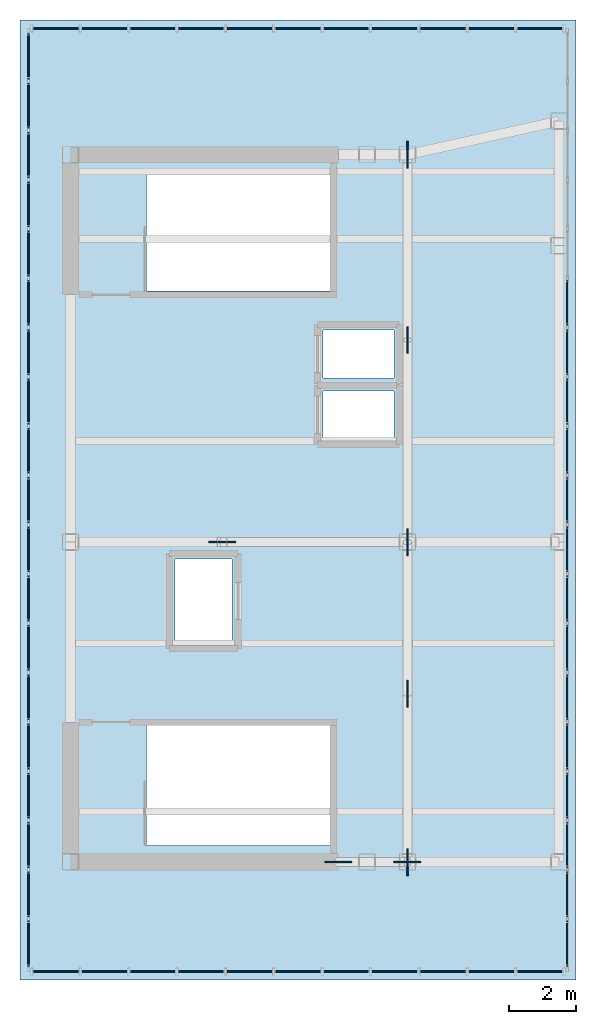
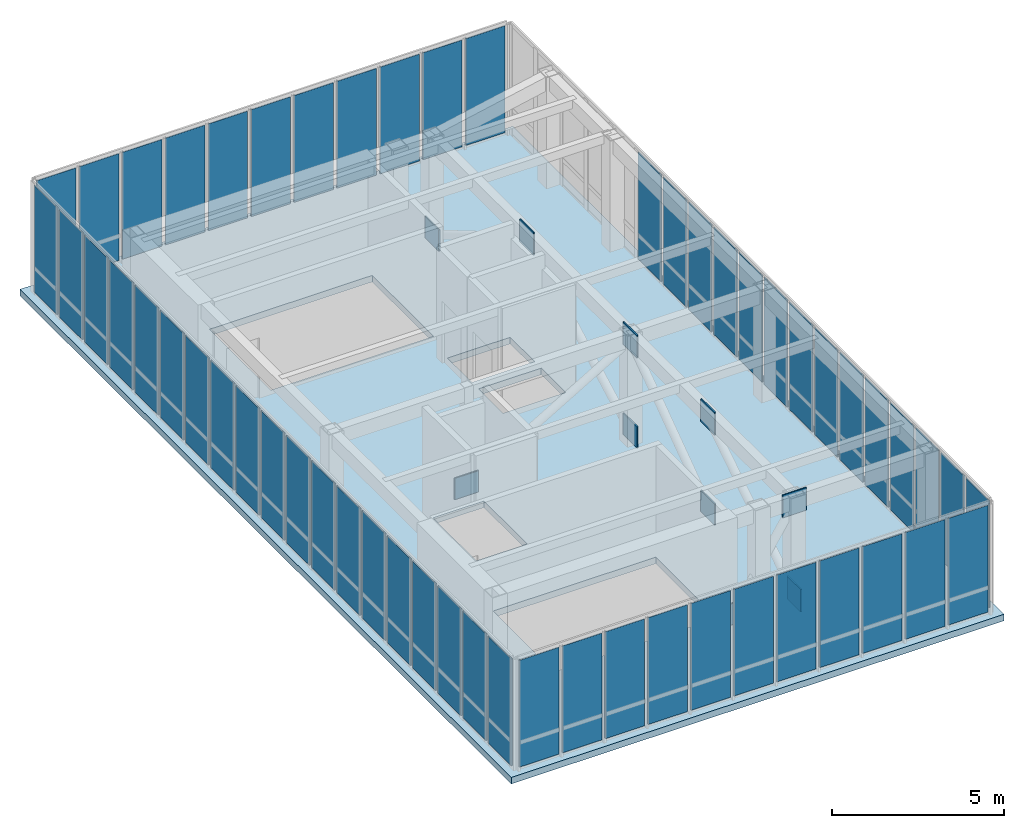
# One storey, part 11 of 13: 65 plates, 1 slab, 4 elements without a shape of their own.
"""IFC4 building model written with IfcOpenShell, lengths in metres."""

from ifc_helpers import new_model, si_unit, direction, frame, origin, origin_2d, place, context, subcontext, project, spatial, polyline, rectangle, outline, extrude, source, transform, mapped, material, layer, layer_set, type_object, element, aggregate, save


model = new_model("IFC4")

# Units and contexts
model_context = context("Model", 3, precision=1e-05, world=origin(), true_north=direction((0.0, 1.0)))
body_context = subcontext(model_context, "Body", "Model", "MODEL_VIEW")
ifc_project = project(units=[si_unit("LENGTHUNIT", "METRE"), si_unit("AREAUNIT", "SQUARE_METRE"), si_unit("VOLUMEUNIT", "CUBIC_METRE"), si_unit("PLANEANGLEUNIT", "RADIAN"), si_unit("MASSUNIT", "GRAM", prefix="KILO")], contexts=[model_context])

# Site, building, storey
site_placement = place(None, origin())
site = spatial("IfcSite", under=ifc_project, at=site_placement, CompositionType="ELEMENT")
building_placement = place(site_placement, origin())
building = spatial("IfcBuilding", under=site, at=building_placement, Name="Kharzan Plaza Tower", CompositionType="ELEMENT")
storey_placement = place(building_placement, frame((0.0, 0.0, 298.199951171875)))
storey = spatial("IfcBuildingStorey", under=building, at=storey_placement, Name="L80-CROWN", CompositionType="ELEMENT", Elevation=298.199951171875)

# Slab
ifc_material_1 = material(Name="Concrete C40/50", Category="concrete")
ifc_layer_1 = layer(ifc_material_1, 0.22998046875)
ifc_layer_set_1 = layer_set([ifc_layer_1], Name="Concrete C40/50")
slab_type = type_object("IfcSlabType", Name="SL-FLOOR-230", PredefinedType="FLOOR", material=ifc_layer_set_1)
slab_placement = place(storey_placement, frame((0.0, 0.0, -0.22998046875)))
element("IfcSlab", 1, at=slab_placement, inside=storey, type_object=slab_type, Name="L80-CROWN Composite Structural Floor Slab 230 mm", PredefinedType="FLOOR", context=body_context, shape_type="SweptSolid", body=[
    extrude(outline(polyline([(3.0, 5.0), (19.5, 5.0), (19.5, 33.5), (3.0, 33.5), (3.0, 5.0)]), holes=[polyline([(6.75, 12.550048828125), (6.75, 9.0), (12.199951171875, 9.0), (12.199951171875, 12.550048828125), (6.75, 12.550048828125)]), polyline([(7.60009765625, 17.5), (7.60009765625, 15.0), (9.300048828125, 15.0), (9.300048828125, 17.5), (7.60009765625, 17.5)]), polyline([(12.0, 22.489990234375), (12.0, 21.070068359375), (14.10009765625, 21.070068359375), (14.10009765625, 22.489990234375), (12.0, 22.489990234375)]), polyline([(14.10009765625, 24.2900390625), (12.0, 24.2900390625), (12.0, 22.8701171875), (14.10009765625, 22.8701171875), (14.10009765625, 24.2900390625)]), polyline([(12.199951171875, 29.0), (6.75, 29.0), (6.75, 25.449951171875), (12.199951171875, 25.449951171875), (12.199951171875, 29.0)])]), origin(), (0.0, 0.0, 1.0), 0.22998046875),
])

# Plates
ifc_material_2 = material(Name="Steel S460", Category="steel")
ifc_layer_2 = layer(ifc_material_2, 0.044921875)
ifc_layer_set_2 = layer_set([ifc_layer_2], Name="Steel S460")
plate_type_1 = type_object("IfcPlateType", Name="PLT-OTN1", PredefinedType="USERDEFINED", material=ifc_layer_set_2)
shared_shape_1 = source(origin(), body_context, "Body", "SweptSolid", [
    extrude(rectangle(XDim=0.800048828125, YDim=0.0400390625, at=origin_2d()), origin(), (0.0, 0.0, 1.0), 0.800048828125),
])
for number, where, z_axis, x_axis, name in (
    (2, (14.5, 18.0, -0.0498046875), (0.0, 0.0, 1.0), (0.0, 1.0, 0.0), "L80-CROWN CROWN FRAME Brace End Gusset Plate OTN1-CRD-E1-A"),
    (3, (14.5, 29.5, -0.0498046875), (0.0, 0.0, 1.0), (0.0, -1.0, 0.0), "L80-CROWN CROWN FRAME Brace End Gusset Plate OTN1-CRD-N1-A"),
    (4, (14.5, 24.0, 3.18994140625), (0.0, 0.0, 1.0), (0.0, -1.0, 0.0), "L80-CROWN CROWN FRAME Brace End Gusset Plate OTN1-CRD-N1-B"),
    (5, (12.449951171875, 8.5, -0.0498046875), (0.0, 0.0, 1.0), (1.0, 0.0, 0.0), "L80-CROWN CROWN FRAME Brace End Gusset Plate OTN1-CRD-N2-A"),
    (6, (14.5, 8.5, 3.18994140625), (0.0, 0.0, 1.0), (1.0, 0.0, 0.0), "L80-CROWN CROWN FRAME Brace End Gusset Plate OTN1-CRD-N2-B"),
    (7, (14.5, 8.5, -0.0498046875), (0.0, 0.0, 1.0), (0.0, 1.0, 0.0), "L80-CROWN CROWN FRAME Brace End Gusset Plate OTN1-CRD-S1-A"),
    (8, (14.5, 13.5, 3.18994140625), (0.0, 0.0, 1.0), (0.0, 1.0, 0.0), "L80-CROWN CROWN FRAME Brace End Gusset Plate OTN1-CRD-S1-B"),
    (9, (14.5, 13.5, -0.0498046875), (0.0, 0.0, 1.0), (0.0, 1.0, 0.0), "L80-CROWN CROWN FRAME Brace End Gusset Plate OTN1-CRD-S2-A"),
    (10, (14.5, 18.0, 3.18994140625), (0.0, 0.0, 1.0), (0.0, 1.0, 0.0), "L80-CROWN CROWN FRAME Brace End Gusset Plate OTN1-CRD-S2-B"),
    (11, (9.0, 18.0, -0.0498046875), (0.0, 0.0, 1.0), (1.0, 0.0, 0.0), "L80-CROWN CROWN FRAME Brace End Gusset Plate OTN1-CRD-W1-A"),
):
    element("IfcPlate", number, at=place(storey_placement, frame(where, z_axis=z_axis, x_axis=x_axis)), inside=storey, type_object=plate_type_1, Name=name, ObjectType="GUSSET_PLATE", PredefinedType="USERDEFINED", context=body_context, shape_type="MappedRepresentation", body=[
        mapped(shared_shape_1, transform((0.0, 0.0, 0.0), x_axis=(1.0, 0.0, 0.0), y_axis=(0.0, 1.0, 0.0), z_axis=(0.0, 0.0, 1.0))),
    ])

# Curtain wall, plates
ifc_material_3 = material(Name="Unitised Bronze-Anodized Aluminium and Low-E Glass", Category="aluminium")
ifc_layer_3 = layer(ifc_material_3, 0.199951171875)
ifc_layer_set_3 = layer_set([ifc_layer_3], Name="Unitised Bronze-Anodized Aluminium and Low-E Glass")
curtain_wall_type = type_object("IfcCurtainWallType", Name="CW-LANTERN-6", PredefinedType="NOTDEFINED", material=ifc_layer_set_3)
curtain_wall_1_placement = place(storey_placement, origin())
curtain_wall_1 = element("IfcCurtainWall", 12, at=curtain_wall_1_placement, inside=storey, type_object=curtain_wall_type, Name="L80-CROWN Lantern Crown Illuminated Curtain Wall 1", PredefinedType="NOTDEFINED")
ifc_material_4 = material(Name="Low-Iron Fritted Lantern Crown Glazing", Category="glass")
ifc_layer_4 = layer(ifc_material_4, 0.035888671875)
ifc_layer_set_4 = layer_set([ifc_layer_4], Name="Low-Iron Fritted Lantern Crown Glazing")
plate_type_2 = type_object("IfcPlateType", Name="PLT-CW-LANTERN", PredefinedType="CURTAIN_PANEL", material=ifc_layer_set_4)
shared_shape_2 = source(origin(), body_context, "Body", "SweptSolid", [
    extrude(rectangle(XDim=1.31640625, YDim=0.035888671875, at=origin_2d()), origin(), (0.0, 0.0, 1.0), 3.780029296875),
])
plate_1_placement = place(storey_placement, frame((4.068115234375, 5.25, 0.080078125), z_axis=(0.0, 0.0, 1.0), x_axis=(1.0, 0.0, 0.0)))
plate_1 = element("IfcPlate", 13, at=plate_1_placement, type_object=plate_type_2, Name="L80-CROWN Curtain-Wall Glazed Panel 00", PredefinedType="CURTAIN_PANEL", context=body_context, shape_type="MappedRepresentation", body=[
    mapped(shared_shape_2, transform((0.0, 0.0, 0.0), x_axis=(1.0, 0.0, 0.0), y_axis=(0.0, 1.0, 0.0), z_axis=(0.0, 0.0, 1.0))),
])
plate_2_placement = place(storey_placement, frame((5.50439453125, 5.25, 0.080078125), z_axis=(0.0, 0.0, 1.0), x_axis=(1.0, 0.0, 0.0)))
plate_2 = element("IfcPlate", 14, at=plate_2_placement, type_object=plate_type_2, Name="L80-CROWN Curtain-Wall Glazed Panel 01", PredefinedType="CURTAIN_PANEL", context=body_context, shape_type="MappedRepresentation", body=[
    mapped(shared_shape_2, transform((0.0, 0.0, 0.0), x_axis=(1.0, 0.0, 0.0), y_axis=(0.0, 1.0, 0.0), z_axis=(0.0, 0.0, 1.0))),
])
plate_3_placement = place(storey_placement, frame((6.94091796875, 5.25, 0.080078125), z_axis=(0.0, 0.0, 1.0), x_axis=(1.0, 0.0, 0.0)))
plate_3 = element("IfcPlate", 15, at=plate_3_placement, type_object=plate_type_2, Name="L80-CROWN Curtain-Wall Glazed Panel 02", PredefinedType="CURTAIN_PANEL", context=body_context, shape_type="MappedRepresentation", body=[
    mapped(shared_shape_2, transform((0.0, 0.0, 0.0), x_axis=(1.0, 0.0, 0.0), y_axis=(0.0, 1.0, 0.0), z_axis=(0.0, 0.0, 1.0))),
])
plate_4_placement = place(storey_placement, frame((8.377197265625, 5.25, 0.080078125), z_axis=(0.0, 0.0, 1.0), x_axis=(1.0, 0.0, 0.0)))
plate_4 = element("IfcPlate", 16, at=plate_4_placement, type_object=plate_type_2, Name="L80-CROWN Curtain-Wall Glazed Panel 03", PredefinedType="CURTAIN_PANEL", context=body_context, shape_type="MappedRepresentation", body=[
    mapped(shared_shape_2, transform((0.0, 0.0, 0.0), x_axis=(1.0, 0.0, 0.0), y_axis=(0.0, 1.0, 0.0), z_axis=(0.0, 0.0, 1.0))),
])
plate_5_placement = place(storey_placement, frame((9.813720703125, 5.25, 0.080078125), z_axis=(0.0, 0.0, 1.0), x_axis=(1.0, 0.0, 0.0)))
plate_5 = element("IfcPlate", 17, at=plate_5_placement, type_object=plate_type_2, Name="L80-CROWN Curtain-Wall Glazed Panel 04", PredefinedType="CURTAIN_PANEL", context=body_context, shape_type="MappedRepresentation", body=[
    mapped(shared_shape_2, transform((0.0, 0.0, 0.0), x_axis=(1.0, 0.0, 0.0), y_axis=(0.0, 1.0, 0.0), z_axis=(0.0, 0.0, 1.0))),
])
plate_6_placement = place(storey_placement, frame((11.25, 5.25, 0.080078125), z_axis=(0.0, 0.0, 1.0), x_axis=(1.0, 0.0, 0.0)))
plate_6 = element("IfcPlate", 18, at=plate_6_placement, type_object=plate_type_2, Name="L80-CROWN Curtain-Wall Glazed Panel 05", PredefinedType="CURTAIN_PANEL", context=body_context, shape_type="MappedRepresentation", body=[
    mapped(shared_shape_2, transform((0.0, 0.0, 0.0), x_axis=(1.0, 0.0, 0.0), y_axis=(0.0, 1.0, 0.0), z_axis=(0.0, 0.0, 1.0))),
])
plate_7_placement = place(storey_placement, frame((12.686279296875, 5.25, 0.080078125), z_axis=(0.0, 0.0, 1.0), x_axis=(1.0, 0.0, 0.0)))
plate_7 = element("IfcPlate", 19, at=plate_7_placement, type_object=plate_type_2, Name="L80-CROWN Curtain-Wall Glazed Panel 06", PredefinedType="CURTAIN_PANEL", context=body_context, shape_type="MappedRepresentation", body=[
    mapped(shared_shape_2, transform((0.0, 0.0, 0.0), x_axis=(1.0, 0.0, 0.0), y_axis=(0.0, 1.0, 0.0), z_axis=(0.0, 0.0, 1.0))),
])
plate_8_placement = place(storey_placement, frame((14.122802734375, 5.25, 0.080078125), z_axis=(0.0, 0.0, 1.0), x_axis=(1.0, 0.0, 0.0)))
plate_8 = element("IfcPlate", 20, at=plate_8_placement, type_object=plate_type_2, Name="L80-CROWN Curtain-Wall Glazed Panel 07", PredefinedType="CURTAIN_PANEL", context=body_context, shape_type="MappedRepresentation", body=[
    mapped(shared_shape_2, transform((0.0, 0.0, 0.0), x_axis=(1.0, 0.0, 0.0), y_axis=(0.0, 1.0, 0.0), z_axis=(0.0, 0.0, 1.0))),
])
plate_9_placement = place(storey_placement, frame((15.55908203125, 5.25, 0.080078125), z_axis=(0.0, 0.0, 1.0), x_axis=(1.0, 0.0, 0.0)))
plate_9 = element("IfcPlate", 21, at=plate_9_placement, type_object=plate_type_2, Name="L80-CROWN Curtain-Wall Glazed Panel 08", PredefinedType="CURTAIN_PANEL", context=body_context, shape_type="MappedRepresentation", body=[
    mapped(shared_shape_2, transform((0.0, 0.0, 0.0), x_axis=(1.0, 0.0, 0.0), y_axis=(0.0, 1.0, 0.0), z_axis=(0.0, 0.0, 1.0))),
])
plate_10_placement = place(storey_placement, frame((16.99560546875, 5.25, 0.080078125), z_axis=(0.0, 0.0, 1.0), x_axis=(1.0, 0.0, 0.0)))
plate_10 = element("IfcPlate", 22, at=plate_10_placement, type_object=plate_type_2, Name="L80-CROWN Curtain-Wall Glazed Panel 09", PredefinedType="CURTAIN_PANEL", context=body_context, shape_type="MappedRepresentation", body=[
    mapped(shared_shape_2, transform((0.0, 0.0, 0.0), x_axis=(1.0, 0.0, 0.0), y_axis=(0.0, 1.0, 0.0), z_axis=(0.0, 0.0, 1.0))),
])
plate_11_placement = place(storey_placement, frame((18.431884765625, 5.25, 0.080078125), z_axis=(0.0, 0.0, 1.0), x_axis=(1.0, 0.0, 0.0)))
plate_11 = element("IfcPlate", 23, at=plate_11_placement, type_object=plate_type_2, Name="L80-CROWN Curtain-Wall Glazed Panel 10", PredefinedType="CURTAIN_PANEL", context=body_context, shape_type="MappedRepresentation", body=[
    mapped(shared_shape_2, transform((0.0, 0.0, 0.0), x_axis=(1.0, 0.0, 0.0), y_axis=(0.0, 1.0, 0.0), z_axis=(0.0, 0.0, 1.0))),
])
aggregate(curtain_wall_1, [plate_1, plate_2, plate_3, plate_4, plate_5, plate_6, plate_7, plate_8, plate_9, plate_10, plate_11])

curtain_wall_2_placement = place(storey_placement, origin())
curtain_wall_2 = element("IfcCurtainWall", 24, at=curtain_wall_2_placement, inside=storey, type_object=curtain_wall_type, Name="L80-CROWN Lantern Crown Illuminated Curtain Wall 3", PredefinedType="NOTDEFINED")
plate_12_placement = place(storey_placement, frame((18.431884765625, 33.25, 0.080078125), z_axis=(0.0, 0.0, 1.0), x_axis=(-1.0, 0.0, 0.0)))
plate_12 = element("IfcPlate", 25, at=plate_12_placement, type_object=plate_type_2, Name="L80-CROWN Curtain-Wall Glazed Panel 00", PredefinedType="CURTAIN_PANEL", context=body_context, shape_type="MappedRepresentation", body=[
    mapped(shared_shape_2, transform((0.0, 0.0, 0.0), x_axis=(1.0, 0.0, 0.0), y_axis=(0.0, 1.0, 0.0), z_axis=(0.0, 0.0, 1.0))),
])
plate_13_placement = place(storey_placement, frame((16.99560546875, 33.25, 0.080078125), z_axis=(0.0, 0.0, 1.0), x_axis=(-1.0, 0.0, 0.0)))
plate_13 = element("IfcPlate", 26, at=plate_13_placement, type_object=plate_type_2, Name="L80-CROWN Curtain-Wall Glazed Panel 01", PredefinedType="CURTAIN_PANEL", context=body_context, shape_type="MappedRepresentation", body=[
    mapped(shared_shape_2, transform((0.0, 0.0, 0.0), x_axis=(1.0, 0.0, 0.0), y_axis=(0.0, 1.0, 0.0), z_axis=(0.0, 0.0, 1.0))),
])
plate_14_placement = place(storey_placement, frame((15.55908203125, 33.25, 0.080078125), z_axis=(0.0, 0.0, 1.0), x_axis=(-1.0, 0.0, 0.0)))
plate_14 = element("IfcPlate", 27, at=plate_14_placement, type_object=plate_type_2, Name="L80-CROWN Curtain-Wall Glazed Panel 02", PredefinedType="CURTAIN_PANEL", context=body_context, shape_type="MappedRepresentation", body=[
    mapped(shared_shape_2, transform((0.0, 0.0, 0.0), x_axis=(1.0, 0.0, 0.0), y_axis=(0.0, 1.0, 0.0), z_axis=(0.0, 0.0, 1.0))),
])
plate_15_placement = place(storey_placement, frame((14.122802734375, 33.25, 0.080078125), z_axis=(0.0, 0.0, 1.0), x_axis=(-1.0, 0.0, 0.0)))
plate_15 = element("IfcPlate", 28, at=plate_15_placement, type_object=plate_type_2, Name="L80-CROWN Curtain-Wall Glazed Panel 03", PredefinedType="CURTAIN_PANEL", context=body_context, shape_type="MappedRepresentation", body=[
    mapped(shared_shape_2, transform((0.0, 0.0, 0.0), x_axis=(1.0, 0.0, 0.0), y_axis=(0.0, 1.0, 0.0), z_axis=(0.0, 0.0, 1.0))),
])
plate_16_placement = place(storey_placement, frame((12.686279296875, 33.25, 0.080078125), z_axis=(0.0, 0.0, 1.0), x_axis=(-1.0, 0.0, 0.0)))
plate_16 = element("IfcPlate", 29, at=plate_16_placement, type_object=plate_type_2, Name="L80-CROWN Curtain-Wall Glazed Panel 04", PredefinedType="CURTAIN_PANEL", context=body_context, shape_type="MappedRepresentation", body=[
    mapped(shared_shape_2, transform((0.0, 0.0, 0.0), x_axis=(1.0, 0.0, 0.0), y_axis=(0.0, 1.0, 0.0), z_axis=(0.0, 0.0, 1.0))),
])
plate_17_placement = place(storey_placement, frame((11.25, 33.25, 0.080078125), z_axis=(0.0, 0.0, 1.0), x_axis=(-1.0, 0.0, 0.0)))
plate_17 = element("IfcPlate", 30, at=plate_17_placement, type_object=plate_type_2, Name="L80-CROWN Curtain-Wall Glazed Panel 05", PredefinedType="CURTAIN_PANEL", context=body_context, shape_type="MappedRepresentation", body=[
    mapped(shared_shape_2, transform((0.0, 0.0, 0.0), x_axis=(1.0, 0.0, 0.0), y_axis=(0.0, 1.0, 0.0), z_axis=(0.0, 0.0, 1.0))),
])
plate_18_placement = place(storey_placement, frame((9.813720703125, 33.25, 0.080078125), z_axis=(0.0, 0.0, 1.0), x_axis=(-1.0, 0.0, 0.0)))
plate_18 = element("IfcPlate", 31, at=plate_18_placement, type_object=plate_type_2, Name="L80-CROWN Curtain-Wall Glazed Panel 06", PredefinedType="CURTAIN_PANEL", context=body_context, shape_type="MappedRepresentation", body=[
    mapped(shared_shape_2, transform((0.0, 0.0, 0.0), x_axis=(1.0, 0.0, 0.0), y_axis=(0.0, 1.0, 0.0), z_axis=(0.0, 0.0, 1.0))),
])
plate_19_placement = place(storey_placement, frame((8.377197265625, 33.25, 0.080078125), z_axis=(0.0, 0.0, 1.0), x_axis=(-1.0, 0.0, 0.0)))
plate_19 = element("IfcPlate", 32, at=plate_19_placement, type_object=plate_type_2, Name="L80-CROWN Curtain-Wall Glazed Panel 07", PredefinedType="CURTAIN_PANEL", context=body_context, shape_type="MappedRepresentation", body=[
    mapped(shared_shape_2, transform((0.0, 0.0, 0.0), x_axis=(1.0, 0.0, 0.0), y_axis=(0.0, 1.0, 0.0), z_axis=(0.0, 0.0, 1.0))),
])
plate_20_placement = place(storey_placement, frame((6.94091796875, 33.25, 0.080078125), z_axis=(0.0, 0.0, 1.0), x_axis=(-1.0, 0.0, 0.0)))
plate_20 = element("IfcPlate", 33, at=plate_20_placement, type_object=plate_type_2, Name="L80-CROWN Curtain-Wall Glazed Panel 08", PredefinedType="CURTAIN_PANEL", context=body_context, shape_type="MappedRepresentation", body=[
    mapped(shared_shape_2, transform((0.0, 0.0, 0.0), x_axis=(1.0, 0.0, 0.0), y_axis=(0.0, 1.0, 0.0), z_axis=(0.0, 0.0, 1.0))),
])
plate_21_placement = place(storey_placement, frame((5.50439453125, 33.25, 0.080078125), z_axis=(0.0, 0.0, 1.0), x_axis=(-1.0, 0.0, 0.0)))
plate_21 = element("IfcPlate", 34, at=plate_21_placement, type_object=plate_type_2, Name="L80-CROWN Curtain-Wall Glazed Panel 09", PredefinedType="CURTAIN_PANEL", context=body_context, shape_type="MappedRepresentation", body=[
    mapped(shared_shape_2, transform((0.0, 0.0, 0.0), x_axis=(1.0, 0.0, 0.0), y_axis=(0.0, 1.0, 0.0), z_axis=(0.0, 0.0, 1.0))),
])
plate_22_placement = place(storey_placement, frame((4.068115234375, 33.25, 0.080078125), z_axis=(0.0, 0.0, 1.0), x_axis=(-1.0, 0.0, 0.0)))
plate_22 = element("IfcPlate", 35, at=plate_22_placement, type_object=plate_type_2, Name="L80-CROWN Curtain-Wall Glazed Panel 10", PredefinedType="CURTAIN_PANEL", context=body_context, shape_type="MappedRepresentation", body=[
    mapped(shared_shape_2, transform((0.0, 0.0, 0.0), x_axis=(1.0, 0.0, 0.0), y_axis=(0.0, 1.0, 0.0), z_axis=(0.0, 0.0, 1.0))),
])
aggregate(curtain_wall_2, [plate_12, plate_13, plate_14, plate_15, plate_16, plate_17, plate_18, plate_19, plate_20, plate_21, plate_22])

curtain_wall_3_placement = place(storey_placement, origin())
curtain_wall_3 = element("IfcCurtainWall", 36, at=curtain_wall_3_placement, inside=storey, type_object=curtain_wall_type, Name="L80-CROWN Lantern Crown Illuminated Curtain Wall 2", PredefinedType="NOTDEFINED")
shared_shape_3 = source(origin(), body_context, "Body", "SweptSolid", [
    extrude(rectangle(XDim=1.34326171875, YDim=0.035888671875, at=origin_2d()), origin(), (0.0, 0.0, 1.0), 3.780029296875),
])
plate_23_placement = place(storey_placement, frame((19.25, 6.08154296875, 0.080078125), z_axis=(0.0, 0.0, 1.0), x_axis=(0.0, 1.0, 0.0)))
plate_23 = element("IfcPlate", 37, at=plate_23_placement, type_object=plate_type_2, Name="L80-CROWN Curtain-Wall Glazed Panel 00", PredefinedType="CURTAIN_PANEL", context=body_context, shape_type="MappedRepresentation", body=[
    mapped(shared_shape_3, transform((0.0, 0.0, 0.0), x_axis=(1.0, 0.0, 0.0), y_axis=(0.0, 1.0, 0.0), z_axis=(0.0, 0.0, 1.0))),
])
plate_24_placement = place(storey_placement, frame((19.25, 7.544677734375, 0.080078125), z_axis=(0.0, 0.0, 1.0), x_axis=(0.0, 1.0, 0.0)))
plate_24 = element("IfcPlate", 38, at=plate_24_placement, type_object=plate_type_2, Name="L80-CROWN Curtain-Wall Glazed Panel 01", PredefinedType="CURTAIN_PANEL", context=body_context, shape_type="MappedRepresentation", body=[
    mapped(shared_shape_3, transform((0.0, 0.0, 0.0), x_axis=(1.0, 0.0, 0.0), y_axis=(0.0, 1.0, 0.0), z_axis=(0.0, 0.0, 1.0))),
])
plate_25_placement = place(storey_placement, frame((19.25, 9.0078125, 0.080078125), z_axis=(0.0, 0.0, 1.0), x_axis=(0.0, 1.0, 0.0)))
plate_25 = element("IfcPlate", 39, at=plate_25_placement, type_object=plate_type_2, Name="L80-CROWN Curtain-Wall Glazed Panel 02", PredefinedType="CURTAIN_PANEL", context=body_context, shape_type="MappedRepresentation", body=[
    mapped(shared_shape_3, transform((0.0, 0.0, 0.0), x_axis=(1.0, 0.0, 0.0), y_axis=(0.0, 1.0, 0.0), z_axis=(0.0, 0.0, 1.0))),
])
plate_26_placement = place(storey_placement, frame((19.25, 10.47119140625, 0.080078125), z_axis=(0.0, 0.0, 1.0), x_axis=(0.0, 1.0, 0.0)))
plate_26 = element("IfcPlate", 40, at=plate_26_placement, type_object=plate_type_2, Name="L80-CROWN Curtain-Wall Glazed Panel 03", PredefinedType="CURTAIN_PANEL", context=body_context, shape_type="MappedRepresentation", body=[
    mapped(shared_shape_3, transform((0.0, 0.0, 0.0), x_axis=(1.0, 0.0, 0.0), y_axis=(0.0, 1.0, 0.0), z_axis=(0.0, 0.0, 1.0))),
])
plate_27_placement = place(storey_placement, frame((19.25, 11.93408203125, 0.080078125), z_axis=(0.0, 0.0, 1.0), x_axis=(0.0, 1.0, 0.0)))
plate_27 = element("IfcPlate", 41, at=plate_27_placement, type_object=plate_type_2, Name="L80-CROWN Curtain-Wall Glazed Panel 04", PredefinedType="CURTAIN_PANEL", context=body_context, shape_type="MappedRepresentation", body=[
    mapped(shared_shape_3, transform((0.0, 0.0, 0.0), x_axis=(1.0, 0.0, 0.0), y_axis=(0.0, 1.0, 0.0), z_axis=(0.0, 0.0, 1.0))),
])
plate_28_placement = place(storey_placement, frame((19.25, 13.3974609375, 0.080078125), z_axis=(0.0, 0.0, 1.0), x_axis=(0.0, 1.0, 0.0)))
plate_28 = element("IfcPlate", 42, at=plate_28_placement, type_object=plate_type_2, Name="L80-CROWN Curtain-Wall Glazed Panel 05", PredefinedType="CURTAIN_PANEL", context=body_context, shape_type="MappedRepresentation", body=[
    mapped(shared_shape_3, transform((0.0, 0.0, 0.0), x_axis=(1.0, 0.0, 0.0), y_axis=(0.0, 1.0, 0.0), z_axis=(0.0, 0.0, 1.0))),
])
plate_29_placement = place(storey_placement, frame((19.25, 14.860595703125, 0.080078125), z_axis=(0.0, 0.0, 1.0), x_axis=(0.0, 1.0, 0.0)))
plate_29 = element("IfcPlate", 43, at=plate_29_placement, type_object=plate_type_2, Name="L80-CROWN Curtain-Wall Glazed Panel 06", PredefinedType="CURTAIN_PANEL", context=body_context, shape_type="MappedRepresentation", body=[
    mapped(shared_shape_3, transform((0.0, 0.0, 0.0), x_axis=(1.0, 0.0, 0.0), y_axis=(0.0, 1.0, 0.0), z_axis=(0.0, 0.0, 1.0))),
])
plate_30_placement = place(storey_placement, frame((19.25, 16.32373046875, 0.080078125), z_axis=(0.0, 0.0, 1.0), x_axis=(0.0, 1.0, 0.0)))
plate_30 = element("IfcPlate", 44, at=plate_30_placement, type_object=plate_type_2, Name="L80-CROWN Curtain-Wall Glazed Panel 07", PredefinedType="CURTAIN_PANEL", context=body_context, shape_type="MappedRepresentation", body=[
    mapped(shared_shape_3, transform((0.0, 0.0, 0.0), x_axis=(1.0, 0.0, 0.0), y_axis=(0.0, 1.0, 0.0), z_axis=(0.0, 0.0, 1.0))),
])
plate_31_placement = place(storey_placement, frame((19.25, 17.786865234375, 0.080078125), z_axis=(0.0, 0.0, 1.0), x_axis=(0.0, 1.0, 0.0)))
plate_31 = element("IfcPlate", 45, at=plate_31_placement, type_object=plate_type_2, Name="L80-CROWN Curtain-Wall Glazed Panel 08", PredefinedType="CURTAIN_PANEL", context=body_context, shape_type="MappedRepresentation", body=[
    mapped(shared_shape_3, transform((0.0, 0.0, 0.0), x_axis=(1.0, 0.0, 0.0), y_axis=(0.0, 1.0, 0.0), z_axis=(0.0, 0.0, 1.0))),
])
plate_32_placement = place(storey_placement, frame((19.25, 19.25, 0.080078125), z_axis=(0.0, 0.0, 1.0), x_axis=(0.0, 1.0, 0.0)))
plate_32 = element("IfcPlate", 46, at=plate_32_placement, type_object=plate_type_2, Name="L80-CROWN Curtain-Wall Glazed Panel 09", PredefinedType="CURTAIN_PANEL", context=body_context, shape_type="MappedRepresentation", body=[
    mapped(shared_shape_3, transform((0.0, 0.0, 0.0), x_axis=(1.0, 0.0, 0.0), y_axis=(0.0, 1.0, 0.0), z_axis=(0.0, 0.0, 1.0))),
])
plate_33_placement = place(storey_placement, frame((19.25, 20.713134765625, 0.080078125), z_axis=(0.0, 0.0, 1.0), x_axis=(0.0, 1.0, 0.0)))
plate_33 = element("IfcPlate", 47, at=plate_33_placement, type_object=plate_type_2, Name="L80-CROWN Curtain-Wall Glazed Panel 10", PredefinedType="CURTAIN_PANEL", context=body_context, shape_type="MappedRepresentation", body=[
    mapped(shared_shape_3, transform((0.0, 0.0, 0.0), x_axis=(1.0, 0.0, 0.0), y_axis=(0.0, 1.0, 0.0), z_axis=(0.0, 0.0, 1.0))),
])
plate_34_placement = place(storey_placement, frame((19.25, 22.17626953125, 0.080078125), z_axis=(0.0, 0.0, 1.0), x_axis=(0.0, 1.0, 0.0)))
plate_34 = element("IfcPlate", 48, at=plate_34_placement, type_object=plate_type_2, Name="L80-CROWN Curtain-Wall Glazed Panel 11", PredefinedType="CURTAIN_PANEL", context=body_context, shape_type="MappedRepresentation", body=[
    mapped(shared_shape_3, transform((0.0, 0.0, 0.0), x_axis=(1.0, 0.0, 0.0), y_axis=(0.0, 1.0, 0.0), z_axis=(0.0, 0.0, 1.0))),
])
plate_35_placement = place(storey_placement, frame((19.25, 23.639404296875, 0.080078125), z_axis=(0.0, 0.0, 1.0), x_axis=(0.0, 1.0, 0.0)))
plate_35 = element("IfcPlate", 49, at=plate_35_placement, type_object=plate_type_2, Name="L80-CROWN Curtain-Wall Glazed Panel 12", PredefinedType="CURTAIN_PANEL", context=body_context, shape_type="MappedRepresentation", body=[
    mapped(shared_shape_3, transform((0.0, 0.0, 0.0), x_axis=(1.0, 0.0, 0.0), y_axis=(0.0, 1.0, 0.0), z_axis=(0.0, 0.0, 1.0))),
])
plate_36_placement = place(storey_placement, frame((19.25, 25.1025390625, 0.080078125), z_axis=(0.0, 0.0, 1.0), x_axis=(0.0, 1.0, 0.0)))
plate_36 = element("IfcPlate", 50, at=plate_36_placement, type_object=plate_type_2, Name="L80-CROWN Curtain-Wall Glazed Panel 13", PredefinedType="CURTAIN_PANEL", context=body_context, shape_type="MappedRepresentation", body=[
    mapped(shared_shape_3, transform((0.0, 0.0, 0.0), x_axis=(1.0, 0.0, 0.0), y_axis=(0.0, 1.0, 0.0), z_axis=(0.0, 0.0, 1.0))),
])
aggregate(curtain_wall_3, [plate_23, plate_24, plate_25, plate_26, plate_27, plate_28, plate_29, plate_30, plate_31, plate_32, plate_33, plate_34, plate_35, plate_36])

curtain_wall_4_placement = place(storey_placement, origin())
curtain_wall_4 = element("IfcCurtainWall", 51, at=curtain_wall_4_placement, inside=storey, type_object=curtain_wall_type, Name="L80-CROWN Lantern Crown Illuminated Curtain Wall 4", PredefinedType="NOTDEFINED")
plate_37_placement = place(storey_placement, frame((3.25, 32.41845703125, 0.080078125), z_axis=(0.0, 0.0, 1.0), x_axis=(0.0, -1.0, 0.0)))
plate_37 = element("IfcPlate", 52, at=plate_37_placement, type_object=plate_type_2, Name="L80-CROWN Curtain-Wall Glazed Panel 00", PredefinedType="CURTAIN_PANEL", context=body_context, shape_type="MappedRepresentation", body=[
    mapped(shared_shape_3, transform((0.0, 0.0, 0.0), x_axis=(1.0, 0.0, 0.0), y_axis=(0.0, 1.0, 0.0), z_axis=(0.0, 0.0, 1.0))),
])
plate_38_placement = place(storey_placement, frame((3.25, 30.955322265625, 0.080078125), z_axis=(0.0, 0.0, 1.0), x_axis=(0.0, -1.0, 0.0)))
plate_38 = element("IfcPlate", 53, at=plate_38_placement, type_object=plate_type_2, Name="L80-CROWN Curtain-Wall Glazed Panel 01", PredefinedType="CURTAIN_PANEL", context=body_context, shape_type="MappedRepresentation", body=[
    mapped(shared_shape_3, transform((0.0, 0.0, 0.0), x_axis=(1.0, 0.0, 0.0), y_axis=(0.0, 1.0, 0.0), z_axis=(0.0, 0.0, 1.0))),
])
plate_39_placement = place(storey_placement, frame((3.25, 29.4921875, 0.080078125), z_axis=(0.0, 0.0, 1.0), x_axis=(0.0, -1.0, 0.0)))
plate_39 = element("IfcPlate", 54, at=plate_39_placement, type_object=plate_type_2, Name="L80-CROWN Curtain-Wall Glazed Panel 02", PredefinedType="CURTAIN_PANEL", context=body_context, shape_type="MappedRepresentation", body=[
    mapped(shared_shape_3, transform((0.0, 0.0, 0.0), x_axis=(1.0, 0.0, 0.0), y_axis=(0.0, 1.0, 0.0), z_axis=(0.0, 0.0, 1.0))),
])
plate_40_placement = place(storey_placement, frame((3.25, 28.02880859375, 0.080078125), z_axis=(0.0, 0.0, 1.0), x_axis=(0.0, -1.0, 0.0)))
plate_40 = element("IfcPlate", 55, at=plate_40_placement, type_object=plate_type_2, Name="L80-CROWN Curtain-Wall Glazed Panel 03", PredefinedType="CURTAIN_PANEL", context=body_context, shape_type="MappedRepresentation", body=[
    mapped(shared_shape_3, transform((0.0, 0.0, 0.0), x_axis=(1.0, 0.0, 0.0), y_axis=(0.0, 1.0, 0.0), z_axis=(0.0, 0.0, 1.0))),
])
plate_41_placement = place(storey_placement, frame((3.25, 26.56591796875, 0.080078125), z_axis=(0.0, 0.0, 1.0), x_axis=(0.0, -1.0, 0.0)))
plate_41 = element("IfcPlate", 56, at=plate_41_placement, type_object=plate_type_2, Name="L80-CROWN Curtain-Wall Glazed Panel 04", PredefinedType="CURTAIN_PANEL", context=body_context, shape_type="MappedRepresentation", body=[
    mapped(shared_shape_3, transform((0.0, 0.0, 0.0), x_axis=(1.0, 0.0, 0.0), y_axis=(0.0, 1.0, 0.0), z_axis=(0.0, 0.0, 1.0))),
])
plate_42_placement = place(storey_placement, frame((3.25, 25.1025390625, 0.080078125), z_axis=(0.0, 0.0, 1.0), x_axis=(0.0, -1.0, 0.0)))
plate_42 = element("IfcPlate", 57, at=plate_42_placement, type_object=plate_type_2, Name="L80-CROWN Curtain-Wall Glazed Panel 05", PredefinedType="CURTAIN_PANEL", context=body_context, shape_type="MappedRepresentation", body=[
    mapped(shared_shape_3, transform((0.0, 0.0, 0.0), x_axis=(1.0, 0.0, 0.0), y_axis=(0.0, 1.0, 0.0), z_axis=(0.0, 0.0, 1.0))),
])
plate_43_placement = place(storey_placement, frame((3.25, 23.639404296875, 0.080078125), z_axis=(0.0, 0.0, 1.0), x_axis=(0.0, -1.0, 0.0)))
plate_43 = element("IfcPlate", 58, at=plate_43_placement, type_object=plate_type_2, Name="L80-CROWN Curtain-Wall Glazed Panel 06", PredefinedType="CURTAIN_PANEL", context=body_context, shape_type="MappedRepresentation", body=[
    mapped(shared_shape_3, transform((0.0, 0.0, 0.0), x_axis=(1.0, 0.0, 0.0), y_axis=(0.0, 1.0, 0.0), z_axis=(0.0, 0.0, 1.0))),
])
plate_44_placement = place(storey_placement, frame((3.25, 22.17626953125, 0.080078125), z_axis=(0.0, 0.0, 1.0), x_axis=(0.0, -1.0, 0.0)))
plate_44 = element("IfcPlate", 59, at=plate_44_placement, type_object=plate_type_2, Name="L80-CROWN Curtain-Wall Glazed Panel 07", PredefinedType="CURTAIN_PANEL", context=body_context, shape_type="MappedRepresentation", body=[
    mapped(shared_shape_3, transform((0.0, 0.0, 0.0), x_axis=(1.0, 0.0, 0.0), y_axis=(0.0, 1.0, 0.0), z_axis=(0.0, 0.0, 1.0))),
])
plate_45_placement = place(storey_placement, frame((3.25, 20.713134765625, 0.080078125), z_axis=(0.0, 0.0, 1.0), x_axis=(0.0, -1.0, 0.0)))
plate_45 = element("IfcPlate", 60, at=plate_45_placement, type_object=plate_type_2, Name="L80-CROWN Curtain-Wall Glazed Panel 08", PredefinedType="CURTAIN_PANEL", context=body_context, shape_type="MappedRepresentation", body=[
    mapped(shared_shape_3, transform((0.0, 0.0, 0.0), x_axis=(1.0, 0.0, 0.0), y_axis=(0.0, 1.0, 0.0), z_axis=(0.0, 0.0, 1.0))),
])
plate_46_placement = place(storey_placement, frame((3.25, 19.25, 0.080078125), z_axis=(0.0, 0.0, 1.0), x_axis=(0.0, -1.0, 0.0)))
plate_46 = element("IfcPlate", 61, at=plate_46_placement, type_object=plate_type_2, Name="L80-CROWN Curtain-Wall Glazed Panel 09", PredefinedType="CURTAIN_PANEL", context=body_context, shape_type="MappedRepresentation", body=[
    mapped(shared_shape_3, transform((0.0, 0.0, 0.0), x_axis=(1.0, 0.0, 0.0), y_axis=(0.0, 1.0, 0.0), z_axis=(0.0, 0.0, 1.0))),
])
plate_47_placement = place(storey_placement, frame((3.25, 17.786865234375, 0.080078125), z_axis=(0.0, 0.0, 1.0), x_axis=(0.0, -1.0, 0.0)))
plate_47 = element("IfcPlate", 62, at=plate_47_placement, type_object=plate_type_2, Name="L80-CROWN Curtain-Wall Glazed Panel 10", PredefinedType="CURTAIN_PANEL", context=body_context, shape_type="MappedRepresentation", body=[
    mapped(shared_shape_3, transform((0.0, 0.0, 0.0), x_axis=(1.0, 0.0, 0.0), y_axis=(0.0, 1.0, 0.0), z_axis=(0.0, 0.0, 1.0))),
])
plate_48_placement = place(storey_placement, frame((3.25, 16.32373046875, 0.080078125), z_axis=(0.0, 0.0, 1.0), x_axis=(0.0, -1.0, 0.0)))
plate_48 = element("IfcPlate", 63, at=plate_48_placement, type_object=plate_type_2, Name="L80-CROWN Curtain-Wall Glazed Panel 11", PredefinedType="CURTAIN_PANEL", context=body_context, shape_type="MappedRepresentation", body=[
    mapped(shared_shape_3, transform((0.0, 0.0, 0.0), x_axis=(1.0, 0.0, 0.0), y_axis=(0.0, 1.0, 0.0), z_axis=(0.0, 0.0, 1.0))),
])
plate_49_placement = place(storey_placement, frame((3.25, 14.860595703125, 0.080078125), z_axis=(0.0, 0.0, 1.0), x_axis=(0.0, -1.0, 0.0)))
plate_49 = element("IfcPlate", 64, at=plate_49_placement, type_object=plate_type_2, Name="L80-CROWN Curtain-Wall Glazed Panel 12", PredefinedType="CURTAIN_PANEL", context=body_context, shape_type="MappedRepresentation", body=[
    mapped(shared_shape_3, transform((0.0, 0.0, 0.0), x_axis=(1.0, 0.0, 0.0), y_axis=(0.0, 1.0, 0.0), z_axis=(0.0, 0.0, 1.0))),
])
plate_50_placement = place(storey_placement, frame((3.25, 13.3974609375, 0.080078125), z_axis=(0.0, 0.0, 1.0), x_axis=(0.0, -1.0, 0.0)))
plate_50 = element("IfcPlate", 65, at=plate_50_placement, type_object=plate_type_2, Name="L80-CROWN Curtain-Wall Glazed Panel 13", PredefinedType="CURTAIN_PANEL", context=body_context, shape_type="MappedRepresentation", body=[
    mapped(shared_shape_3, transform((0.0, 0.0, 0.0), x_axis=(1.0, 0.0, 0.0), y_axis=(0.0, 1.0, 0.0), z_axis=(0.0, 0.0, 1.0))),
])
plate_51_placement = place(storey_placement, frame((3.25, 11.93408203125, 0.080078125), z_axis=(0.0, 0.0, 1.0), x_axis=(0.0, -1.0, 0.0)))
plate_51 = element("IfcPlate", 66, at=plate_51_placement, type_object=plate_type_2, Name="L80-CROWN Curtain-Wall Glazed Panel 14", PredefinedType="CURTAIN_PANEL", context=body_context, shape_type="MappedRepresentation", body=[
    mapped(shared_shape_3, transform((0.0, 0.0, 0.0), x_axis=(1.0, 0.0, 0.0), y_axis=(0.0, 1.0, 0.0), z_axis=(0.0, 0.0, 1.0))),
])
plate_52_placement = place(storey_placement, frame((3.25, 10.47119140625, 0.080078125), z_axis=(0.0, 0.0, 1.0), x_axis=(0.0, -1.0, 0.0)))
plate_52 = element("IfcPlate", 67, at=plate_52_placement, type_object=plate_type_2, Name="L80-CROWN Curtain-Wall Glazed Panel 15", PredefinedType="CURTAIN_PANEL", context=body_context, shape_type="MappedRepresentation", body=[
    mapped(shared_shape_3, transform((0.0, 0.0, 0.0), x_axis=(1.0, 0.0, 0.0), y_axis=(0.0, 1.0, 0.0), z_axis=(0.0, 0.0, 1.0))),
])
plate_53_placement = place(storey_placement, frame((3.25, 9.0078125, 0.080078125), z_axis=(0.0, 0.0, 1.0), x_axis=(0.0, -1.0, 0.0)))
plate_53 = element("IfcPlate", 68, at=plate_53_placement, type_object=plate_type_2, Name="L80-CROWN Curtain-Wall Glazed Panel 16", PredefinedType="CURTAIN_PANEL", context=body_context, shape_type="MappedRepresentation", body=[
    mapped(shared_shape_3, transform((0.0, 0.0, 0.0), x_axis=(1.0, 0.0, 0.0), y_axis=(0.0, 1.0, 0.0), z_axis=(0.0, 0.0, 1.0))),
])
plate_54_placement = place(storey_placement, frame((3.25, 7.544677734375, 0.080078125), z_axis=(0.0, 0.0, 1.0), x_axis=(0.0, -1.0, 0.0)))
plate_54 = element("IfcPlate", 69, at=plate_54_placement, type_object=plate_type_2, Name="L80-CROWN Curtain-Wall Glazed Panel 17", PredefinedType="CURTAIN_PANEL", context=body_context, shape_type="MappedRepresentation", body=[
    mapped(shared_shape_3, transform((0.0, 0.0, 0.0), x_axis=(1.0, 0.0, 0.0), y_axis=(0.0, 1.0, 0.0), z_axis=(0.0, 0.0, 1.0))),
])
plate_55_placement = place(storey_placement, frame((3.25, 6.08154296875, 0.080078125), z_axis=(0.0, 0.0, 1.0), x_axis=(0.0, -1.0, 0.0)))
plate_55 = element("IfcPlate", 70, at=plate_55_placement, type_object=plate_type_2, Name="L80-CROWN Curtain-Wall Glazed Panel 18", PredefinedType="CURTAIN_PANEL", context=body_context, shape_type="MappedRepresentation", body=[
    mapped(shared_shape_3, transform((0.0, 0.0, 0.0), x_axis=(1.0, 0.0, 0.0), y_axis=(0.0, 1.0, 0.0), z_axis=(0.0, 0.0, 1.0))),
])
aggregate(curtain_wall_4, [plate_37, plate_38, plate_39, plate_40, plate_41, plate_42, plate_43, plate_44, plate_45, plate_46, plate_47, plate_48, plate_49, plate_50, plate_51, plate_52, plate_53, plate_54, plate_55])

save(model, "model.ifc")
